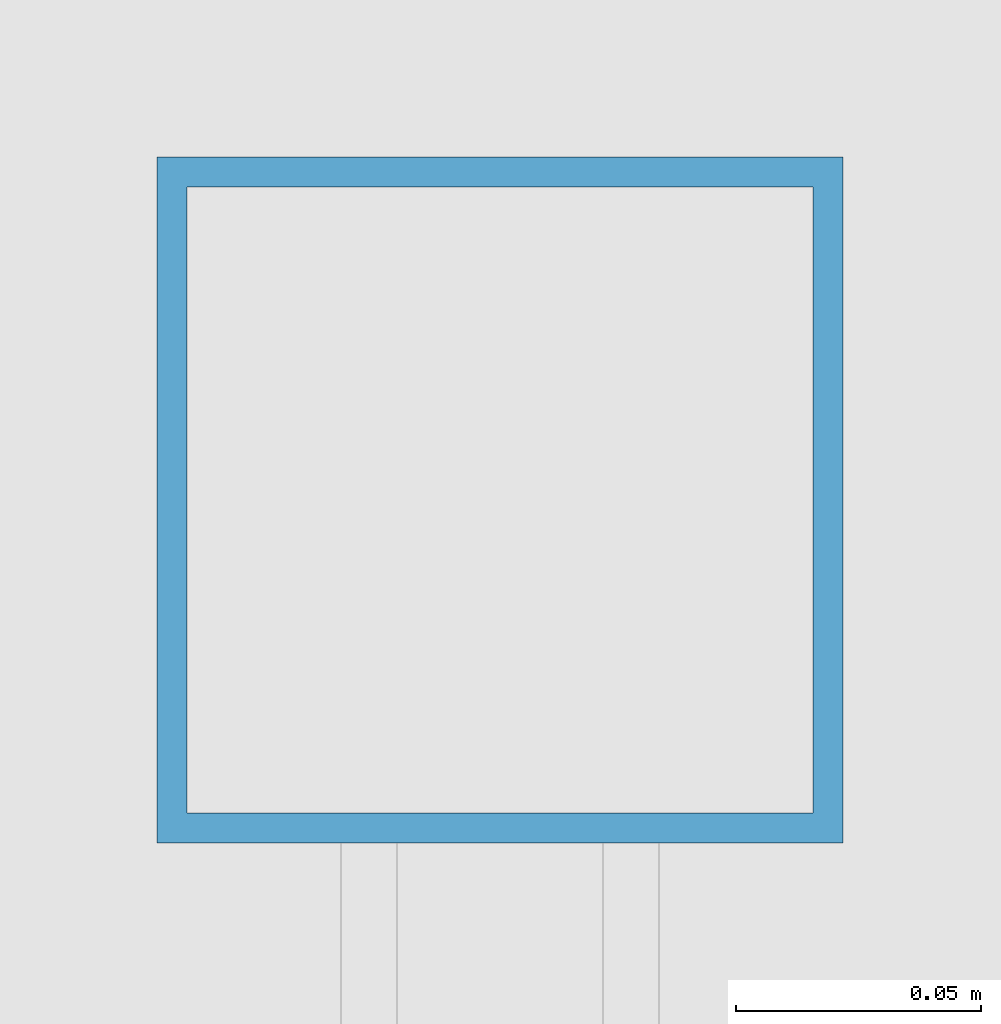
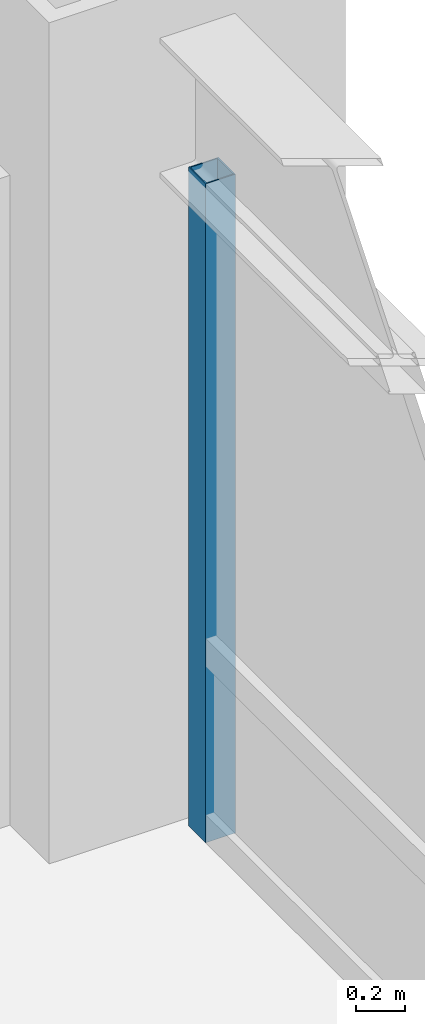
# One storey, part 16 of 32: 1 member, 1 element without a shape of its own.
"""IFC4 building model written with IfcOpenShell, lengths in metres."""

from ifc_helpers import new_model, si_unit, direction, frame, origin, origin_2d, place, context, subcontext, project, spatial, hollow_rectangle, extrude, source, transform, mapped, material, material_profile, profile_set, type_object, element, aggregate, save


model = new_model("IFC4")

# Units and contexts
model_context = context("Model", 3, precision=1e-05, world=origin(), true_north=direction((0.0, 1.0)))
body_context = subcontext(model_context, "Body", "Model", "MODEL_VIEW")
ifc_project = project(units=[si_unit("LENGTHUNIT", "METRE"), si_unit("AREAUNIT", "SQUARE_METRE"), si_unit("VOLUMEUNIT", "CUBIC_METRE"), si_unit("PLANEANGLEUNIT", "RADIAN"), si_unit("MASSUNIT", "GRAM", prefix="KILO")], contexts=[model_context])

# Site, building, storey
site_placement = place(None, origin())
site = spatial("IfcSite", under=ifc_project, at=site_placement, CompositionType="ELEMENT")
building_placement = place(site_placement, origin())
building = spatial("IfcBuilding", under=site, at=building_placement, Name="Khorayat Bourse Tower", CompositionType="ELEMENT")
storey_placement = place(building_placement, frame((0.0, 0.0, 78.800048828125)))
storey = spatial("IfcBuildingStorey", under=building, at=storey_placement, Name="L17", CompositionType="ELEMENT", Elevation=78.800048828125)

# Curtain wall, member
ifc_material = material(Name="Aluminium EN AW-6063 T6", Category="aluminium")
curtain_wall_type = type_object("IfcCurtainWallType", Name="CW-SYS-02", PredefinedType="NOTDEFINED", material=ifc_material)
curtain_wall_placement = place(storey_placement, origin())
curtain_wall = element("IfcCurtainWall", 1, at=curtain_wall_placement, inside=storey, type_object=curtain_wall_type, Name="L17 Curtain Wall CW-L17-E1", PredefinedType="NOTDEFINED")
ifc_material_profile = material_profile(ifc_material, hollow_rectangle(XDim=0.139892578125, YDim=0.139892578125, WallThickness=0.006103515625, at=origin_2d()), Name="ALU 140x140x6")
ifc_profile_set = profile_set([ifc_material_profile], Name="Aluminium EN AW-6063 T6")
member_type = type_object("IfcMemberType", Name="CWM-VERT-140", PredefinedType="MULLION", material=ifc_profile_set)
shared_shape = source(origin(), body_context, "Body", "SweptSolid", [
    extrude(hollow_rectangle(XDim=0.139892578125, YDim=0.139892578125, WallThickness=0.006103515625, at=origin_2d()), origin(), (0.0, 0.0, 1.0), 3.2900390625),
])
member_placement = place(storey_placement, frame((32.0, 27.679931640625, 0.0), z_axis=(0.0, 0.0, 1.0), x_axis=(-1.0, 0.0, 0.0)))
member = element("IfcMember", 2, at=member_placement, type_object=member_type, Name="CW-L17-E1 Vertical Mullion 3", PredefinedType="MULLION", context=body_context, shape_type="MappedRepresentation", body=[
    mapped(shared_shape, transform((0.0, 0.0, 0.0), scale=1.0)),
])
aggregate(curtain_wall, [member])

save(model, "model.ifc")
